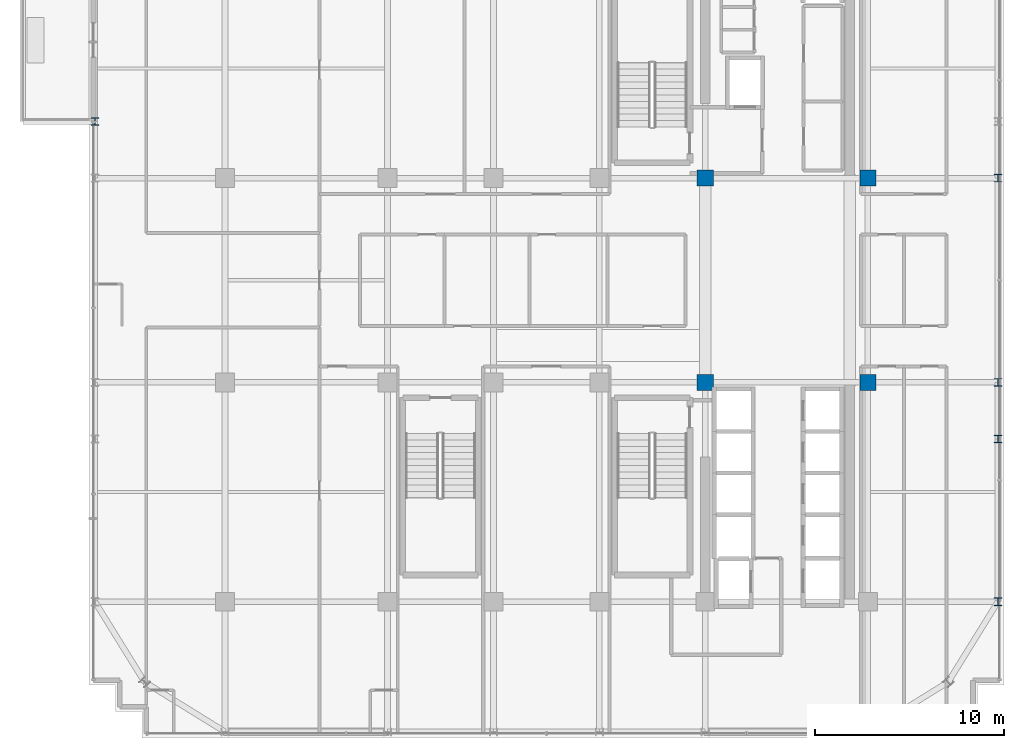
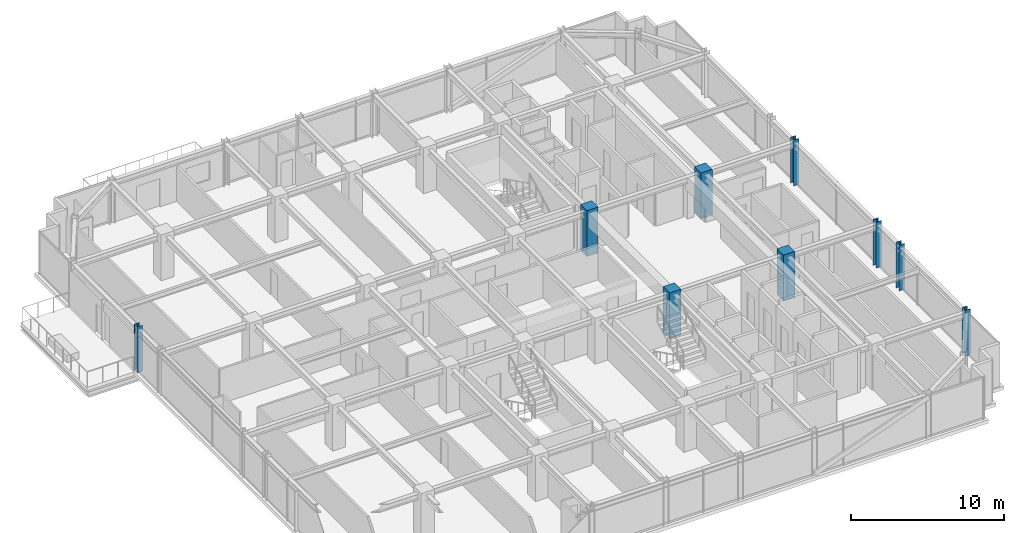
# One storey, part 2 of 36: 9 columns.
"""IFC4 building model written with IfcOpenShell, lengths in metres."""

from ifc_helpers import new_model, si_unit, direction, frame, origin, origin_2d, place, context, subcontext, project, spatial, rectangle, i_section, extrude, source, transform, mapped, material, material_profile, profile_set, type_object, element, save


model = new_model("IFC4")

# Units and contexts
model_context = context("Model", 3, precision=1e-05, world=origin(), true_north=direction((0.0, 1.0)))
body_context = subcontext(model_context, "Body", "Model", "MODEL_VIEW")
ifc_project = project(units=[si_unit("LENGTHUNIT", "METRE"), si_unit("AREAUNIT", "SQUARE_METRE"), si_unit("VOLUMEUNIT", "CUBIC_METRE"), si_unit("PLANEANGLEUNIT", "RADIAN"), si_unit("MASSUNIT", "GRAM", prefix="KILO")], contexts=[model_context])

# Site, building, storey
site_placement = place(None, origin())
site = spatial("IfcSite", under=ifc_project, at=site_placement, CompositionType="ELEMENT")
building_placement = place(site_placement, origin())
building = spatial("IfcBuilding", under=site, at=building_placement, Name="Nahalor Promenade Grand Hotel", CompositionType="ELEMENT")
storey_placement = place(building_placement, frame((0.0, 0.0, 212.300048828125)))
storey = spatial("IfcBuildingStorey", under=building, at=storey_placement, Name="L54", CompositionType="ELEMENT", Elevation=212.300048828125)

# Columns
ifc_material_1 = material(Name="Concrete B-70 (C60/75)", Category="concrete")
ifc_material_profile_1 = material_profile(ifc_material_1, rectangle(XDim=0.85, YDim=0.85, at=origin_2d()), Name="RC 850x850")
ifc_profile_set_1 = profile_set([ifc_material_profile_1], Name="Concrete B-70 (C60/75)")
column_type_1 = type_object("IfcColumnType", Name="Col-Pilaster-850", PredefinedType="PILASTER", material=ifc_profile_set_1)
shared_shape_1 = source(origin(), body_context, "Body", "SweptSolid", [
    extrude(rectangle(XDim=0.85, YDim=0.85, at=origin_2d()), origin(), (0.0, 0.0, 1.0), 3.655029296875),
])
for number, where, z_axis, x_axis, name in (
    (1, (8.39990234375, -5.39990234375, 0.0), (0.0, 0.0, 1.0), (1.0, 0.0, 0.0), "COL-L54-I41"),
    (2, (8.39990234375, 5.39990234375, 0.0), (0.0, 0.0, 1.0), (1.0, 0.0, 0.0), "COL-L54-I42"),
    (3, (17.0, -5.39990234375, 0.0), (0.0, 0.0, 1.0), (1.0, 0.0, 0.0), "COL-L54-I51"),
    (4, (17.0, 5.39990234375, 0.0), (0.0, 0.0, 1.0), (1.0, 0.0, 0.0), "COL-L54-I52"),
):
    element("IfcColumn", number, at=place(storey_placement, frame(where, z_axis=z_axis, x_axis=x_axis)), inside=storey, type_object=column_type_1, Name=name, PredefinedType="PILASTER", context=body_context, shape_type="MappedRepresentation", body=[
        mapped(shared_shape_1, transform((0.0, 0.0, 0.0), scale=1.0)),
    ])
ifc_material_2 = material(Name="Steel S355JR", Category="steel")
ifc_material_profile_2 = material_profile(ifc_material_2, i_section(OverallWidth=0.401, OverallDepth=0.406, WebThickness=0.0161, FlangeThickness=0.025, at=origin_2d()), Name="HD 400x314")
ifc_profile_set_2 = profile_set([ifc_material_profile_2], Name="Steel S355JR")
column_type_2 = type_object("IfcColumnType", Name="Col-Steel-HD314", PredefinedType="COLUMN", material=ifc_profile_set_2)
shared_shape_2 = source(origin(), body_context, "Body", "SweptSolid", [
    extrude(i_section(OverallWidth=0.401, OverallDepth=0.406, WebThickness=0.0161, FlangeThickness=0.025, at=origin_2d()), origin(), (0.0, 0.0, 1.0), 3.655029296875),
])
for number, where, z_axis, x_axis, name in (
    (5, (23.8798828125, -17.0, 0.0), (0.0, 0.0, 1.0), (1.0, 0.0, 0.0), "COL-L54-PW-E0"),
    (6, (23.8798828125, -8.39990234375, 0.0), (0.0, 0.0, 1.0), (1.0, 0.0, 0.0), "COL-L54-PW-E1"),
    (7, (23.8798828125, -5.39990234375, 0.0), (0.0, 0.0, 1.0), (1.0, 0.0, 0.0), "COL-L54-PW-E2"),
    (8, (23.8798828125, 5.39990234375, 0.0), (0.0, 0.0, 1.0), (1.0, 0.0, 0.0), "COL-L54-PW-E3"),
    (9, (-23.8798828125, 8.39990234375, 0.0), (0.0, 0.0, 1.0), (1.0, 0.0, 0.0), "COL-L54-PW-W4"),
):
    element("IfcColumn", number, at=place(storey_placement, frame(where, z_axis=z_axis, x_axis=x_axis)), inside=storey, type_object=column_type_2, Name=name, PredefinedType="COLUMN", context=body_context, shape_type="MappedRepresentation", body=[
        mapped(shared_shape_2, transform((0.0, 0.0, 0.0), scale=1.0)),
    ])

save(model, "model.ifc")
